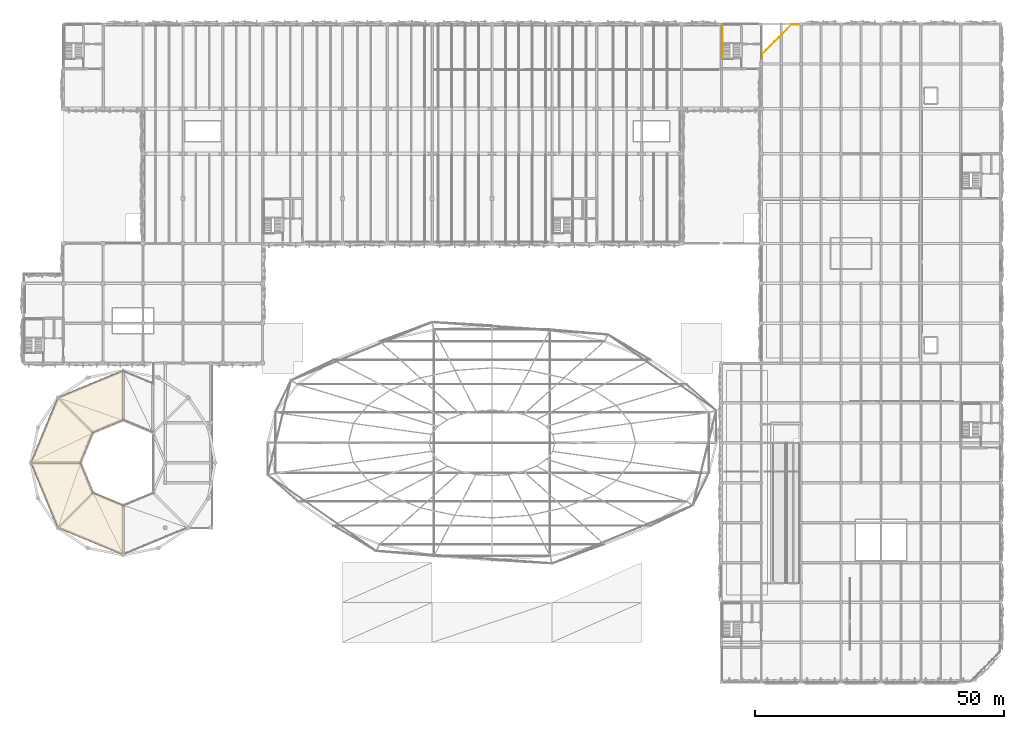
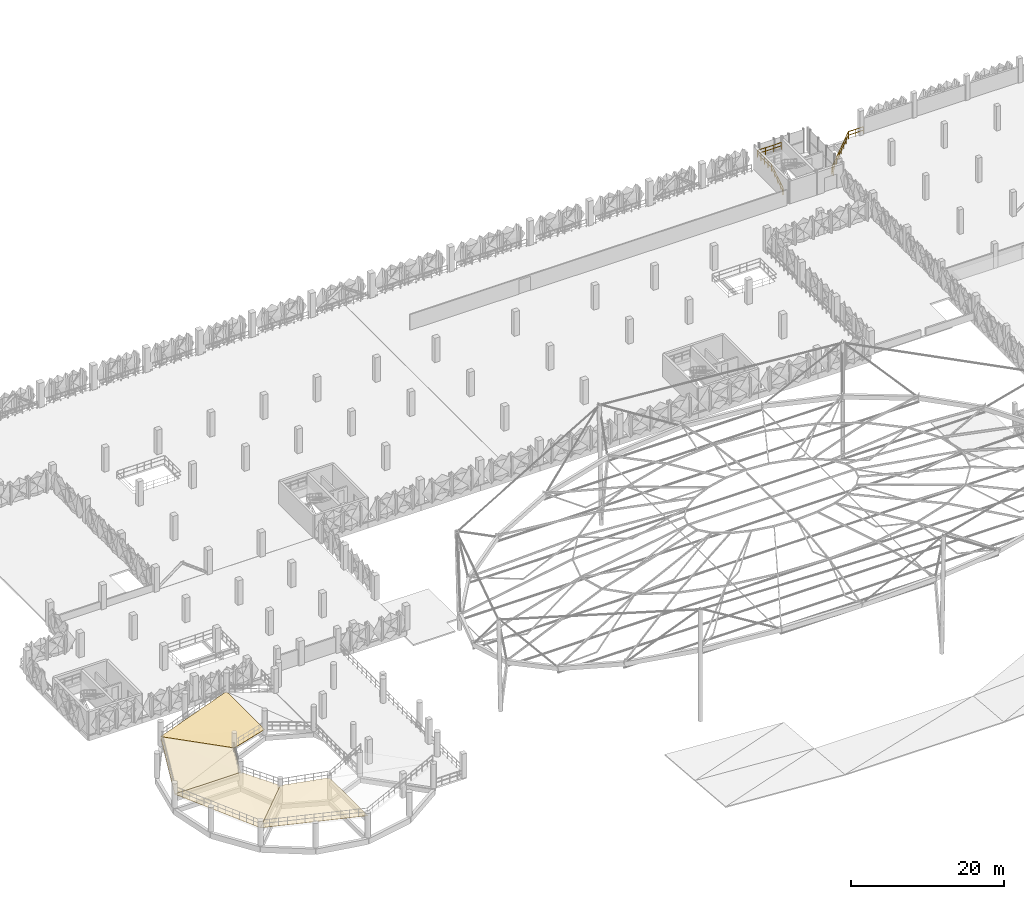
# One storey, part 96 of 96: 4 coverings, 2 railings.
"""IFC4 building model written with IfcOpenShell, lengths in metres."""

from ifc_helpers import new_model, si_unit, derived_unit, direction, frame, origin, origin_2d, place, context, subcontext, project, spatial, circle, extrude, polygons, material, layer, layer_set, type_object, element, save


model = new_model("IFC4")

# Units and contexts
model_context = context("Model", 3, precision=1e-05, world=origin(), true_north=direction((0.0, 1.0)))
body_context = subcontext(model_context, "Body", "Model", "MODEL_VIEW")
ifc_project = project(units=[si_unit("LENGTHUNIT", "METRE"), si_unit("AREAUNIT", "SQUARE_METRE"), si_unit("VOLUMEUNIT", "CUBIC_METRE"), si_unit("PLANEANGLEUNIT", "RADIAN"), si_unit("MASSUNIT", "GRAM", prefix="KILO"), si_unit("THERMODYNAMICTEMPERATUREUNIT", "KELVIN"), derived_unit("THERMALTRANSMITTANCEUNIT", [(si_unit("POWERUNIT", "WATT"), 1), (si_unit("AREAUNIT", "SQUARE_METRE"), -1), (si_unit("THERMODYNAMICTEMPERATUREUNIT", "KELVIN"), -1)])], contexts=[model_context])

# Site, building, storey
site_placement = place(None, origin())
site = spatial("IfcSite", under=ifc_project, at=site_placement, CompositionType="ELEMENT")
building_placement = place(site_placement, origin())
building = spatial("IfcBuilding", under=site, at=building_placement, Name="Haiyu Intermodal Mobility Hub", CompositionType="ELEMENT")
storey_placement = place(building_placement, frame((0.0, 0.0, 9.5)))
storey = spatial("IfcBuildingStorey", under=building, at=storey_placement, Name="L02", CompositionType="ELEMENT", Elevation=9.5)

# Coverings
ifc_material_1 = material(Name="Acrylic sports court surfacing")
ifc_layer = layer(ifc_material_1, 0.030029296875)
ifc_layer_set = layer_set([ifc_layer], Name="Acrylic sports court surfacing")
covering_type = type_object("IfcCoveringType", Name="COV-CV07", PredefinedType="FLOORING", material=ifc_layer_set)
covering_1_placement = place(storey_placement, origin())
element("IfcCovering", 1, at=covering_1_placement, inside=storey, type_object=covering_type, Name="COV-RMP-VEH-L02-02", PredefinedType="FLOORING", context=body_context, shape_type="Tessellation", body=[
    polygons([(34.0, 68.5, 0.64990234375), (34.0, 78.5, 0.64990234375), (20.9189453125, 73.0810546875, 1.300048828125), (27.989990234375, 66.010009765625, 1.300048828125), (34.0, 68.5, 0.695068359375), (34.0, 78.5, 0.695068359375), (20.9189453125, 73.0810546875, 1.344970703125), (27.989990234375, 66.010009765625, 1.344970703125)], [[[4, 3, 2, 1]], [[5, 6, 7, 8]], [[1, 2, 6, 5]], [[2, 3, 7, 6]], [[3, 4, 8, 7]], [[4, 1, 5, 8]]], closed=True),
])
covering_2_placement = place(storey_placement, origin())
element("IfcCovering", 2, at=covering_2_placement, inside=storey, type_object=covering_type, Name="COV-RMP-VEH-L02-03", PredefinedType="FLOORING", context=body_context, shape_type="Tessellation", body=[
    polygons([(27.989990234375, 66.010009765625, 1.300048828125), (20.9189453125, 73.0810546875, 1.300048828125), (15.5, 60.0, 1.949951171875), (25.5, 60.0, 1.949951171875), (27.989990234375, 66.010009765625, 1.344970703125), (20.9189453125, 73.0810546875, 1.344970703125), (15.5, 60.0, 1.9951171875), (25.5, 60.0, 1.9951171875)], [[[4, 3, 2, 1]], [[5, 6, 7, 8]], [[1, 2, 6, 5]], [[2, 3, 7, 6]], [[3, 4, 8, 7]], [[4, 1, 5, 8]]], closed=True),
])
covering_3_placement = place(storey_placement, origin())
element("IfcCovering", 3, at=covering_3_placement, inside=storey, type_object=covering_type, Name="COV-RMP-VEH-L02-04", PredefinedType="FLOORING", context=body_context, shape_type="Tessellation", body=[
    polygons([(25.5, 60.0, 1.949951171875), (15.5, 60.0, 1.949951171875), (20.9189453125, 46.9189453125, 2.60009765625), (27.989990234375, 53.989990234375, 2.60009765625), (25.5, 60.0, 1.9951171875), (15.5, 60.0, 1.9951171875), (20.9189453125, 46.9189453125, 2.64501953125), (27.989990234375, 53.989990234375, 2.64501953125)], [[[4, 3, 2, 1]], [[5, 6, 7, 8]], [[1, 2, 6, 5]], [[2, 3, 7, 6]], [[3, 4, 8, 7]], [[4, 1, 5, 8]]], closed=True),
])
covering_4_placement = place(storey_placement, origin())
element("IfcCovering", 4, at=covering_4_placement, inside=storey, type_object=covering_type, Name="COV-RMP-VEH-L02-05", PredefinedType="FLOORING", context=body_context, shape_type="Tessellation", body=[
    polygons([(27.989990234375, 53.989990234375, 2.60009765625), (20.9189453125, 46.9189453125, 2.60009765625), (34.0, 41.5, 3.25), (34.0, 51.5, 3.25), (27.989990234375, 53.989990234375, 2.64501953125), (20.9189453125, 46.9189453125, 2.64501953125), (34.0, 41.5, 3.294921875), (34.0, 51.5, 3.294921875)], [[[4, 3, 2, 1]], [[5, 6, 7, 8]], [[1, 2, 6, 5]], [[2, 3, 7, 6]], [[3, 4, 8, 7]], [[4, 1, 5, 8]]], closed=True),
])

# Railings
ifc_material_2 = material(Name="Steel Q355C", Category="steel")
railing_type = type_object("IfcRailingType", Name="RAL-GR03", PredefinedType="GUARDRAIL", material=ifc_material_2)
railing_1_placement = place(storey_placement, frame((162.139892578125, 141.60009765625, 0.0)))
element("IfcRailing", 5, at=railing_1_placement, inside=storey, type_object=railing_type, Name="RAL-V6CH-L02", PredefinedType="GUARDRAIL", context=body_context, shape_type="SweptSolid", body=[
    extrude(circle(Radius=0.02392578125, at=origin_2d()), frame((0.0, 0.030029296875, 1.1259765625), z_axis=(0.0, 1.0, 0.0), x_axis=(-1.0, 0.0, 0.0)), (0.0, 0.0, 1.0), 0.289794921875),
    extrude(circle(Radius=0.02392578125, at=origin_2d()), frame((0.0, 0.037353515625, 0.574951171875), z_axis=(0.0, 1.0, 0.0), x_axis=(-1.0, 0.0, 0.0)), (0.0, 0.0, 1.0), 0.275146484375),
    extrude(circle(Radius=0.02392578125, at=origin_2d()), frame((0.021240234375, 0.37109375, 1.1259765625), z_axis=(0.705924782292, 0.708286807547, 0.0), x_axis=(-0.708286807547, 0.705924782292, 0.0)), (0.0, 0.0, 1.0), 8.312255859375),
    extrude(circle(Radius=0.02392578125, at=origin_2d()), frame((0.0263671875, 0.376220703125, 0.574951171875), z_axis=(0.705924782292, 0.708286807547, 0.0), x_axis=(-0.708286807547, 0.705924782292, 0.0)), (0.0, 0.0, 1.0), 1.121337890625),
    extrude(circle(Radius=0.02392578125, at=origin_2d()), frame((0.87060546875, 1.223388671875, 0.574951171875), z_axis=(0.705924782292, 0.708286807547, 0.0), x_axis=(-0.708286807547, 0.705924782292, 0.0)), (0.0, 0.0, 1.0), 1.121337890625),
    extrude(circle(Radius=0.02392578125, at=origin_2d()), frame((1.71484375, 2.070556640625, 0.574951171875), z_axis=(0.705924782292, 0.708286807547, 0.0), x_axis=(-0.708286807547, 0.705924782292, 0.0)), (0.0, 0.0, 1.0), 1.121337890625),
    extrude(circle(Radius=0.02392578125, at=origin_2d()), frame((2.559326171875, 2.917724609375, 0.574951171875), z_axis=(0.705924782292, 0.708286807547, 0.0), x_axis=(-0.708286807547, 0.705924782292, 0.0)), (0.0, 0.0, 1.0), 1.121337890625),
    extrude(circle(Radius=0.02392578125, at=origin_2d()), frame((3.403564453125, 3.764892578125, 0.574951171875), z_axis=(0.705924782292, 0.708286807547, 0.0), x_axis=(-0.708286807547, 0.705924782292, 0.0)), (0.0, 0.0, 1.0), 1.121337890625),
    extrude(circle(Radius=0.02392578125, at=origin_2d()), frame((4.247802734375, 4.61181640625, 0.574951171875), z_axis=(0.705924782292, 0.708286807547, 0.0), x_axis=(-0.708286807547, 0.705924782292, 0.0)), (0.0, 0.0, 1.0), 1.121337890625),
    extrude(circle(Radius=0.02392578125, at=origin_2d()), frame((5.09228515625, 5.458984375, 0.574951171875), z_axis=(0.705924782292, 0.708286807547, 0.0), x_axis=(-0.708286807547, 0.705924782292, 0.0)), (0.0, 0.0, 1.0), 1.121337890625),
    extrude(circle(Radius=0.02392578125, at=origin_2d()), frame((5.940185546875, 6.27978515625, 1.1259765625), z_axis=(1.0, 0.0, 0.0), x_axis=(0.0, 1.0, 0.0)), (0.0, 0.0, 1.0), 2.18994140625),
    extrude(circle(Radius=0.02392578125, at=origin_2d()), frame((5.947509765625, 6.27978515625, 0.574951171875), z_axis=(1.0, 0.0, 0.0), x_axis=(0.0, 1.0, 0.0)), (0.0, 0.0, 1.0), 1.05029296875),
    extrude(circle(Radius=0.02392578125, at=origin_2d()), frame((7.072509765625, 6.27978515625, 0.574951171875), z_axis=(1.0, 0.0, 0.0), x_axis=(0.0, 1.0, 0.0)), (0.0, 0.0, 1.0), 1.05029296875),
    extrude(circle(Radius=0.02099609375, at=origin_2d()), origin(), (0.0, 0.0, 1.0), 1.09375),
    extrude(circle(Radius=0.02099609375, at=origin_2d()), frame((0.0, 0.349853515625, 0.0)), (0.0, 0.0, 1.0), 1.09375),
    extrude(circle(Radius=0.02099609375, at=origin_2d()), frame((0.84423828125, 1.197021484375, 0.0)), (0.0, 0.0, 1.0), 1.09375),
    extrude(circle(Radius=0.02099609375, at=origin_2d()), frame((1.688720703125, 2.044189453125, 0.0)), (0.0, 0.0, 1.0), 1.09375),
    extrude(circle(Radius=0.02099609375, at=origin_2d()), frame((2.532958984375, 2.891357421875, 0.0)), (0.0, 0.0, 1.0), 1.09375),
    extrude(circle(Radius=0.02099609375, at=origin_2d()), frame((3.377197265625, 3.73828125, 0.0)), (0.0, 0.0, 1.0), 1.09375),
    extrude(circle(Radius=0.02099609375, at=origin_2d()), frame((4.221435546875, 4.58544921875, 0.0)), (0.0, 0.0, 1.0), 1.09375),
    extrude(circle(Radius=0.02099609375, at=origin_2d()), frame((5.06591796875, 5.4326171875, 0.0)), (0.0, 0.0, 1.0), 1.09375),
    extrude(circle(Radius=0.02099609375, at=origin_2d()), frame((5.91015625, 6.27978515625, 0.0)), (0.0, 0.0, 1.0), 1.09375),
    extrude(circle(Radius=0.02099609375, at=origin_2d()), frame((7.03515625, 6.27978515625, 0.0)), (0.0, 0.0, 1.0), 1.09375),
    extrude(circle(Radius=0.02099609375, at=origin_2d()), frame((8.16015625, 6.27978515625, 0.0)), (0.0, 0.0, 1.0), 1.09375),
])
railing_2_placement = place(storey_placement, frame((154.25, 141.050048828125, 0.0)))
element("IfcRailing", 6, at=railing_2_placement, inside=storey, type_object=railing_type, Name="Stair Outer Guard STR-C4-L02", PredefinedType="GUARDRAIL", context=body_context, shape_type="SweptSolid", body=[
    extrude(circle(Radius=0.02392578125, at=origin_2d()), frame((0.0, 0.025390625, 1.112060546875), z_axis=(0.0, 0.844894753029, 0.534932571736), x_axis=(-1.0, 0.0, 0.0)), (0.0, 0.0, 1.0), 3.585205078125),
    extrude(circle(Radius=0.02392578125, at=origin_2d()), frame((0.0, 0.031494140625, 0.580078125), z_axis=(0.0, 0.844894753029, 0.534932571736), x_axis=(-1.0, 0.0, 0.0)), (0.0, 0.0, 1.0), 0.836669921875),
    extrude(circle(Radius=0.02392578125, at=origin_2d()), frame((0.0, 0.801513671875, 1.0673828125), z_axis=(0.0, 0.844894753029, 0.534932571736), x_axis=(-1.0, 0.0, 0.0)), (0.0, 0.0, 1.0), 0.836669921875),
    extrude(circle(Radius=0.02392578125, at=origin_2d()), frame((0.0, 1.571533203125, 1.554931640625), z_axis=(0.0, 0.844894753029, 0.534932571736), x_axis=(-1.0, 0.0, 0.0)), (0.0, 0.0, 1.0), 0.836669921875),
    extrude(circle(Radius=0.02392578125, at=origin_2d()), frame((0.0, 2.34130859375, 2.04248046875), z_axis=(0.0, 0.844894753029, 0.534932571736), x_axis=(-1.0, 0.0, 0.0)), (0.0, 0.0, 1.0), 0.836669921875),
    extrude(circle(Radius=0.02392578125, at=origin_2d()), frame((0.0, 3.10986328125, 3.0458984375), z_axis=(0.0, 1.0, 0.0), x_axis=(-1.0, 0.0, 0.0)), (0.0, 0.0, 1.0), 3.570068359375),
    extrude(circle(Radius=0.02392578125, at=origin_2d()), frame((0.0, 3.1171875, 2.510009765625), z_axis=(0.0, 1.0, 0.0), x_axis=(-1.0, 0.0, 0.0)), (0.0, 0.0, 1.0), 0.8330078125),
    extrude(circle(Radius=0.02392578125, at=origin_2d()), frame((0.0, 4.024658203125, 2.510009765625), z_axis=(0.0, 1.0, 0.0), x_axis=(-1.0, 0.0, 0.0)), (0.0, 0.0, 1.0), 0.8330078125),
    extrude(circle(Radius=0.02392578125, at=origin_2d()), frame((0.0, 4.93212890625, 2.510009765625), z_axis=(0.0, 1.0, 0.0), x_axis=(-1.0, 0.0, 0.0)), (0.0, 0.0, 1.0), 0.8330078125),
    extrude(circle(Radius=0.02392578125, at=origin_2d()), frame((0.0, 5.83984375, 2.510009765625), z_axis=(0.0, 1.0, 0.0), x_axis=(-1.0, 0.0, 0.0)), (0.0, 0.0, 1.0), 0.8330078125),
    extrude(circle(Radius=0.02392578125, at=origin_2d()), frame((0.030029296875, 6.7099609375, 3.0458984375), z_axis=(1.0, 0.0, 0.0), x_axis=(0.0, 1.0, 0.0)), (0.0, 0.0, 1.0), 3.52001953125),
    extrude(circle(Radius=0.02392578125, at=origin_2d()), frame((0.037353515625, 6.7099609375, 2.510009765625), z_axis=(1.0, 0.0, 0.0), x_axis=(0.0, 1.0, 0.0)), (0.0, 0.0, 1.0), 1.11865234375),
    extrude(circle(Radius=0.02392578125, at=origin_2d()), frame((1.230712890625, 6.7099609375, 2.510009765625), z_axis=(1.0, 0.0, 0.0), x_axis=(0.0, 1.0, 0.0)), (0.0, 0.0, 1.0), 1.11865234375),
    extrude(circle(Radius=0.02392578125, at=origin_2d()), frame((2.424072265625, 6.7099609375, 2.510009765625), z_axis=(1.0, 0.0, 0.0), x_axis=(0.0, 1.0, 0.0)), (0.0, 0.0, 1.0), 1.11865234375),
    extrude(circle(Radius=0.02099609375, at=origin_2d()), origin(), (0.0, 0.0, 1.0), 1.06396484375),
    extrude(circle(Radius=0.02099609375, at=origin_2d()), frame((0.0, 0.77001953125, 0.487548828125)), (0.0, 0.0, 1.0), 1.06396484375),
    extrude(circle(Radius=0.02099609375, at=origin_2d()), frame((0.0, 1.5400390625, 0.97509765625)), (0.0, 0.0, 1.0), 1.06396484375),
    extrude(circle(Radius=0.02099609375, at=origin_2d()), frame((0.0, 2.309814453125, 1.46240234375)), (0.0, 0.0, 1.0), 1.06396484375),
    extrude(circle(Radius=0.02099609375, at=origin_2d()), frame((0.0, 3.079833984375, 1.949951171875)), (0.0, 0.0, 1.0), 1.06396484375),
    extrude(circle(Radius=0.02099609375, at=origin_2d()), frame((0.0, 3.9873046875, 1.949951171875)), (0.0, 0.0, 1.0), 1.06396484375),
    extrude(circle(Radius=0.02099609375, at=origin_2d()), frame((0.0, 4.89501953125, 1.949951171875)), (0.0, 0.0, 1.0), 1.06396484375),
    extrude(circle(Radius=0.02099609375, at=origin_2d()), frame((0.0, 5.802490234375, 1.949951171875)), (0.0, 0.0, 1.0), 1.06396484375),
    extrude(circle(Radius=0.02099609375, at=origin_2d()), frame((0.0, 6.7099609375, 1.949951171875)), (0.0, 0.0, 1.0), 1.06396484375),
    extrude(circle(Radius=0.02099609375, at=origin_2d()), frame((1.193359375, 6.7099609375, 1.949951171875)), (0.0, 0.0, 1.0), 1.06396484375),
    extrude(circle(Radius=0.02099609375, at=origin_2d()), frame((2.38671875, 6.7099609375, 1.949951171875)), (0.0, 0.0, 1.0), 1.06396484375),
    extrude(circle(Radius=0.02099609375, at=origin_2d()), frame((3.580078125, 6.7099609375, 1.949951171875)), (0.0, 0.0, 1.0), 1.06396484375),
])

save(model, "model.ifc")
